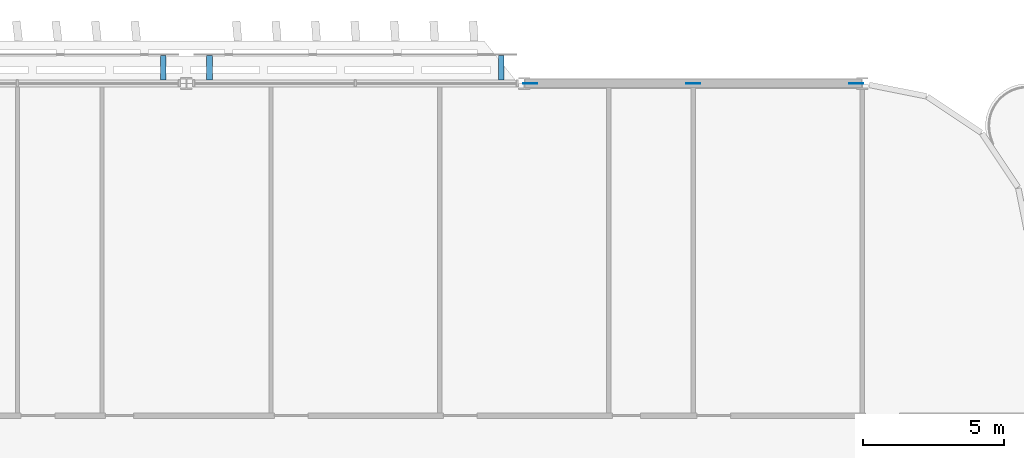
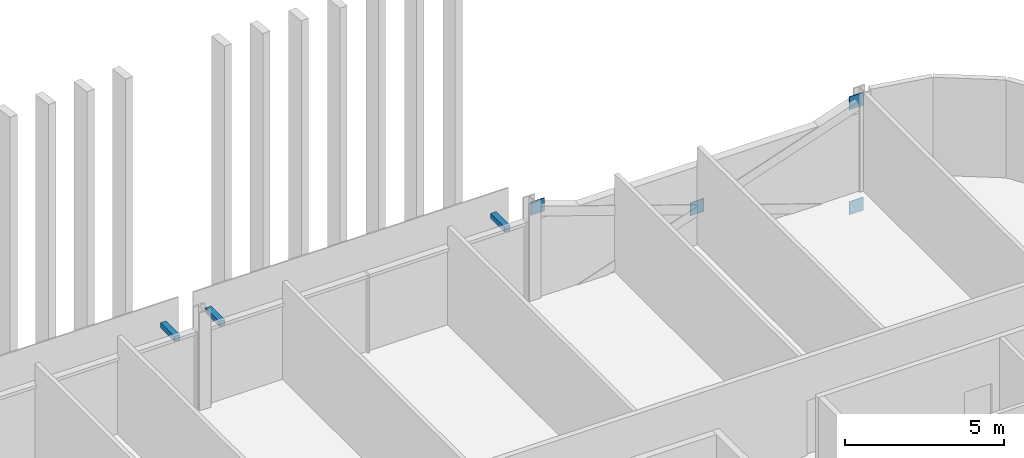
# One storey, part 23 of 33: 7 discrete accessories.
"""IFC4 building model written with IfcOpenShell, lengths in metres."""

import ifcopenshell
import ifcopenshell.guid

model = None  # the IFC model being written
_history = None  # IfcOwnerHistory: only IFC2X3 demands one
_inside = {}  # id of a spatial element -> (the spatial element, [elements in it])
_under = {}  # id of a project, library or spatial element -> (it, [spatial elements below it])
_declared = {}  # id of a project -> (the project, [libraries it declares])
_typed = {}  # id of a type object -> (the type object, [elements of that type])
_made_of = {}  # id of a material, layer set ... -> (it, [elements and type objects made of it])


def new_model(schema):
    """Start an empty IFC model of exactly this schema.

    Asked for "IFC4X3", IfcOpenShell would pick the latest addendum, in which some entities
    have other attributes; the version numbers below select the first issue.
    IFC2X3 requires an IfcOwnerHistory on every rooted entity: one is made here for all.
    """
    global model, _history
    if schema == "IFC4X3":
        model = ifcopenshell.file(schema_version=(4, 3, 0, 0))
    else:
        model = ifcopenshell.file(schema=schema)
    _inside.clear()
    _under.clear()
    _declared.clear()
    _typed.clear()
    _made_of.clear()
    _history = None
    if model.schema == "IFC2X3":
        org = make("IfcOrganization", Name="unknown")
        user = make(
            "IfcPersonAndOrganization",
            ThePerson=make("IfcPerson", FamilyName="unknown"),
            TheOrganization=org,
        )
        app = make(
            "IfcApplication",
            ApplicationDeveloper=org,
            Version="unknown",
            ApplicationFullName="unknown",
            ApplicationIdentifier="unknown",
        )
        _history = make(
            "IfcOwnerHistory",
            OwningUser=user,
            OwningApplication=app,
            ChangeAction="ADDED",
            CreationDate=0,
        )
    return model


def make(cls, **values):
    """One entity of the class cls with the attributes given. An attribute that is None is left unset."""
    return model.create_entity(
        cls, **{name: value for name, value in values.items() if value is not None}
    )


def rooted(cls, **values):
    """An entity with a GlobalId (a new one), such as an element, a storey or a relation."""
    return make(cls, GlobalId=ifcopenshell.guid.new(), OwnerHistory=_history, **values)


def si_unit(unit_type, name, prefix=None):
    """IfcSIUnit, for example si_unit("LENGTHUNIT", "METRE", prefix="MILLI")."""
    return make("IfcSIUnit", UnitType=unit_type, Prefix=prefix, Name=name)


def assignment(units):
    """IfcUnitAssignment: the units of a project."""
    return None if units is None else make("IfcUnitAssignment", Units=units)


def point(xyz):
    """IfcCartesianPoint."""
    return None if xyz is None else make("IfcCartesianPoint", Coordinates=xyz)


def direction(xyz):
    """IfcDirection."""
    return None if xyz is None else make("IfcDirection", DirectionRatios=xyz)


def frame(location, z_axis=None, x_axis=None):
    """IfcAxis2Placement3D, a coordinate frame: its origin and axes. An axis left out is left unset."""
    return make(
        "IfcAxis2Placement3D",
        Location=point(location),
        Axis=direction(z_axis),
        RefDirection=direction(x_axis),
    )


def frame_2d(location, x_axis=None):
    """IfcAxis2Placement2D, a coordinate frame in the plane: its origin and x axis."""
    return make(
        "IfcAxis2Placement2D", Location=point(location), RefDirection=direction(x_axis)
    )


def origin():
    """The frame at (0, 0, 0) with its axes left unset."""
    return frame((0.0, 0.0, 0.0))


def origin_2d():
    """The frame at (0, 0) in the plane with its x axis left unset."""
    return frame_2d((0.0, 0.0))


def place(relative_to, where):
    """IfcLocalPlacement: puts the frame where relative to a parent placement (None: the world)."""
    return make(
        "IfcLocalPlacement", PlacementRelTo=relative_to, RelativePlacement=where
    )


def context(
    kind, dimensions, precision=None, world=None, true_north=None, identifier=None
):
    """IfcGeometricRepresentationContext, for example the 3D "Model" context."""
    return make(
        "IfcGeometricRepresentationContext",
        ContextIdentifier=identifier,
        ContextType=kind,
        CoordinateSpaceDimension=dimensions,
        Precision=precision,
        WorldCoordinateSystem=world,
        TrueNorth=true_north,
    )


def subcontext(parent, identifier, kind, view, scale=None):
    """IfcGeometricRepresentationSubContext, for example "Body" below "Model"."""
    return make(
        "IfcGeometricRepresentationSubContext",
        ContextIdentifier=identifier,
        ContextType=kind,
        ParentContext=parent,
        TargetScale=scale,
        TargetView=view,
    )


def project(units=None, contexts=None):
    """IfcProject with its units and contexts."""
    return rooted(
        "IfcProject",
        Name="project",
        RepresentationContexts=contexts,
        UnitsInContext=assignment(units),
    )


def spatial(cls, under=None, at=None, **own):
    """A site, building, storey or space (cls), placed at a placement, below another one or the project."""
    s = rooted(cls, ObjectPlacement=at, **own)
    if under is not None:
        _under.setdefault(under.id(), (under, []))[1].append(s)
    return s


def profile(cls, at=None, kind="AREA", **sizes):
    """A parametric profile (cls). Its sizes go by their IFC names, for example OverallWidth=200.0."""
    return make(cls, ProfileType=kind, Position=at, **sizes)


def rectangle(**sizes):
    """IfcRectangleProfileDef."""
    return profile("IfcRectangleProfileDef", **sizes)


def extrude(swept, where, along, depth):
    """IfcExtrudedAreaSolid: the profile swept, set in the frame where, extruded along a direction by depth."""
    return make(
        "IfcExtrudedAreaSolid",
        SweptArea=swept,
        Position=where,
        ExtrudedDirection=direction(along),
        Depth=depth,
    )


def shape(context_of_items, identifier, shape_type, items):
    """IfcShapeRepresentation: the items that make up one representation, for example the "Body"."""
    return make(
        "IfcShapeRepresentation",
        ContextOfItems=context_of_items,
        RepresentationIdentifier=identifier,
        RepresentationType=shape_type,
        Items=items,
    )


def material(Name=None, Category=None):
    """IfcMaterial."""
    return make("IfcMaterial", Name=Name, Category=Category)


def layer(
    of_material, thickness, ventilated=None, Name=None, Category=None, Priority=None
):
    """IfcMaterialLayer: one layer of a wall or slab, of a material (None: an air gap)."""
    return make(
        "IfcMaterialLayer",
        Material=of_material,
        LayerThickness=thickness,
        IsVentilated=ventilated,
        Name=Name,
        Category=Category,
        Priority=Priority,
    )


def layer_set(layers, Name=None):
    """IfcMaterialLayerSet."""
    return make("IfcMaterialLayerSet", MaterialLayers=layers, LayerSetName=Name)


def made_of(thing, what):
    """Note that an element or type object is made of a material, layer set ...; save() writes the relation."""
    if what is not None:
        _made_of.setdefault(what.id(), (what, []))[1].append(thing)
    return thing


def type_object(cls, material=None, **own):
    """A type object (cls), such as IfcWallType, which elements share."""
    return made_of(rooted(cls, **own), material)


def element(
    cls,
    number,
    at=None,
    inside=None,
    cuts=None,
    type_object=None,
    material=None,
    context=None,
    identifier="Body",
    shape_type=None,
    held_by="IfcProductDefinitionShape",
    body=None,
    shapes=None,
    **own,
):
    """One element of the class cls, such as IfcWall. Its Tag is "e" and its number.

    at: its placement. inside: the storey or other place that contains it. cuts: it is an
    opening in that element (IfcRelVoidsElement). A single representation is given by context,
    identifier, shape_type and body (its items); several are given by shapes. held_by: the class
    of the entity that holds the representations. save() writes the other relations.
    """
    e = rooted(cls, Tag="e%d" % number, ObjectPlacement=at, **own)
    if body is not None:
        shapes = [shape(context, identifier, shape_type, body)]
    if shapes is not None:
        e.Representation = make(held_by, Representations=shapes)
    if inside is not None:
        _inside.setdefault(inside.id(), (inside, []))[1].append(e)
    if cuts is not None:
        rooted(
            "IfcRelVoidsElement", RelatingBuildingElement=cuts, RelatedOpeningElement=e
        )
    if type_object is not None:
        _typed.setdefault(type_object.id(), (type_object, []))[1].append(e)
    return made_of(e, material)


def aggregate(whole, parts):
    """IfcRelAggregates: a whole, such as a stair, and the parts it consists of."""
    return rooted("IfcRelAggregates", RelatingObject=whole, RelatedObjects=parts)


def save(model, path):
    """Write the relations noted so far, then the file.

    IfcRelAggregates (storeys below a building ...), IfcRelContainedInSpatialStructure (elements
    in a storey), IfcRelDefinesByType, IfcRelAssociatesMaterial and IfcRelDeclares: one each for
    every whole, place, type object, material and project.
    """
    for whole, parts in _under.values():
        aggregate(whole, parts)
    for where, things in _inside.values():
        rooted(
            "IfcRelContainedInSpatialStructure",
            RelatedElements=things,
            RelatingStructure=where,
        )
    for kind, things in _typed.values():
        rooted("IfcRelDefinesByType", RelatedObjects=things, RelatingType=kind)
    for what, things in _made_of.values():
        rooted("IfcRelAssociatesMaterial", RelatedObjects=things, RelatingMaterial=what)
    for by, libraries in _declared.values():
        rooted("IfcRelDeclares", RelatingContext=by, RelatedDefinitions=libraries)
    model.write(path)


model = new_model("IFC4")

# Units and contexts
model_context = context("Model", 3, precision=1e-05, world=origin(), true_north=direction((0.0, 1.0)))
body_context = subcontext(model_context, "Body", "Model", "MODEL_VIEW")
ifc_project = project(units=[si_unit("LENGTHUNIT", "METRE"), si_unit("AREAUNIT", "SQUARE_METRE"), si_unit("VOLUMEUNIT", "CUBIC_METRE"), si_unit("PLANEANGLEUNIT", "RADIAN"), si_unit("MASSUNIT", "GRAM", prefix="KILO")], contexts=[model_context])

# Site, building, storey
site_placement = place(None, origin())
site = spatial("IfcSite", under=ifc_project, at=site_placement, CompositionType="ELEMENT")
building_placement = place(site_placement, origin())
building = spatial("IfcBuilding", under=site, at=building_placement, Name="Mahtab Terrace Research Tower", CompositionType="ELEMENT")
storey_placement = place(building_placement, frame((0.0, 0.0, 122.0)))
storey = spatial("IfcBuildingStorey", under=building, at=storey_placement, Name="L28", CompositionType="ELEMENT", Elevation=122.0)

# Discrete accessories
ifc_material_1 = material(Name="Black anodised aluminium", Category="aluminium")
discrete_accessory_type_1 = type_object("IfcDiscreteAccessoryType", Name="Facade bracket", PredefinedType="BRACKET", material=ifc_material_1)
for number, where, z_axis, x_axis, name in (
    (1, (29.181884765625, 29.5625, 2.703125), (0.0, 0.0, 1.0), (-1.0, 0.0, 0.0), "Screen bracket Girih screen L28 N5"),
    (2, (18.818115234375, 29.5625, 2.703125), (0.0, 0.0, 1.0), (-1.0, 0.0, 0.0), "Screen bracket Girih screen L28 N5"),
    (3, (17.181884765625, 29.5625, 2.703125), (0.0, 0.0, 1.0), (-1.0, 0.0, 0.0), "Screen bracket Girih screen L28 N6"),
):
    element("IfcDiscreteAccessory", number, at=place(storey_placement, frame(where, z_axis=z_axis, x_axis=x_axis)), inside=storey, type_object=discrete_accessory_type_1, Name=name, PredefinedType="BRACKET", context=body_context, shape_type="SweptSolid", body=[
        extrude(rectangle(XDim=0.199951171875, YDim=0.875, at=origin_2d()), origin(), (0.0, 0.0, 1.0), 0.199951171875),
    ])
ifc_material_2 = material(Name="Steel ASTM A992 Gr 50", Category="steel")
ifc_layer = layer(ifc_material_2, 0.030029296875)
ifc_layer_set = layer_set([ifc_layer], Name="Gusset plate 500x500x30")
discrete_accessory_type_2 = type_object("IfcDiscreteAccessoryType", Name="Gusset plate 500x500x30", PredefinedType="USERDEFINED", material=ifc_layer_set)
for number, where, z_axis, x_axis, name in (
    (4, (30.205810546875, 29.0, 3.131591796875), (0.0, 0.0, 1.0), (1.0, 0.0, 0.0), "Gusset plate"),
    (5, (36.0, 29.0, 1.08154296875), (0.0, 0.0, 1.0), (1.0, 0.0, 0.0), "Gusset plate"),
    (6, (41.794189453125, 29.0, -0.898193359375), (0.0, 0.0, 1.0), (1.0, 0.0, 0.0), "Gusset plate"),
    (7, (41.794189453125, 29.0, 3.131591796875), (0.0, 0.0, 1.0), (1.0, 0.0, 0.0), "Gusset plate"),
):
    element("IfcDiscreteAccessory", number, at=place(storey_placement, frame(where, z_axis=z_axis, x_axis=x_axis)), inside=storey, type_object=discrete_accessory_type_2, Name=name, ObjectType="GUSSET PLATE", PredefinedType="USERDEFINED", context=body_context, shape_type="SweptSolid", body=[
        extrude(rectangle(XDim=0.5, YDim=0.030029296875, at=origin_2d()), origin(), (0.0, 0.0, 1.0), 0.5),
    ])

save(model, "model.ifc")
